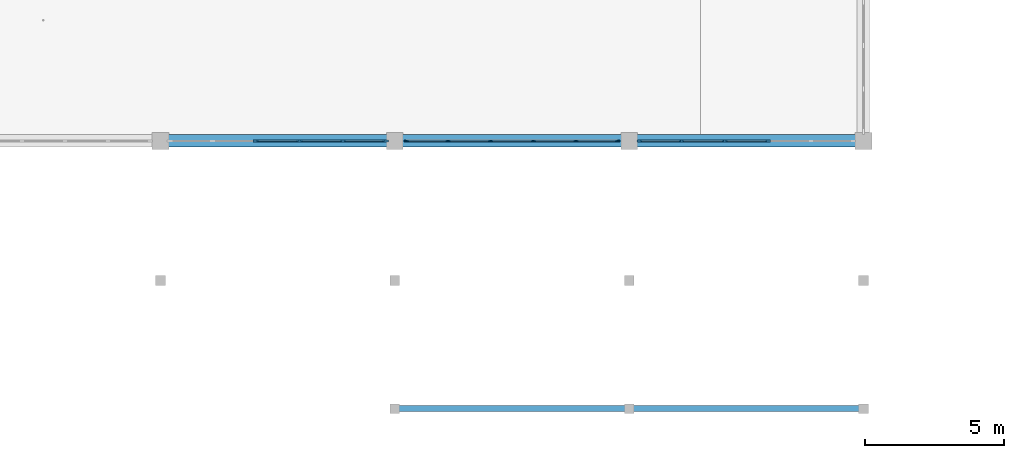
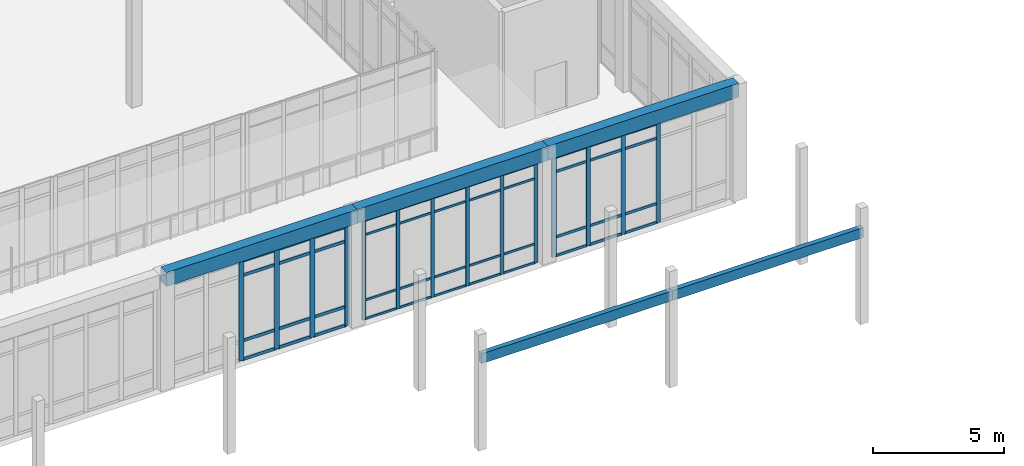
# One storey, part 19 of 157: 58 members, 5 beams, 3 elements without a shape of their own.
"""IFC4 building model written with IfcOpenShell, lengths in metres."""

from ifc_helpers import new_model, si_unit, direction, frame, origin, origin_2d, place, context, subcontext, project, spatial, rectangle, extrude, material, material_profile, profile_set, type_object, element, aggregate, save


model = new_model("IFC4")

# Units and contexts
model_context = context("Model", 3, precision=1e-05, world=origin(), true_north=direction((0.0, 1.0)))
body_context = subcontext(model_context, "Body", "Model", "MODEL_VIEW")
ifc_project = project(units=[si_unit("LENGTHUNIT", "METRE"), si_unit("AREAUNIT", "SQUARE_METRE"), si_unit("VOLUMEUNIT", "CUBIC_METRE"), si_unit("PLANEANGLEUNIT", "RADIAN"), si_unit("MASSUNIT", "GRAM", prefix="KILO")], contexts=[model_context])

# Site, building, storey
site_placement = place(None, origin())
site = spatial("IfcSite", under=ifc_project, at=site_placement, CompositionType="ELEMENT")
building_placement = place(site_placement, origin())
building = spatial("IfcBuilding", under=site, at=building_placement, Name="Varncliffe General Hospital", CompositionType="ELEMENT")
storey_placement = place(building_placement, frame((0.0, 0.0, 5.39990234375)))
storey = spatial("IfcBuildingStorey", under=building, at=storey_placement, Name="L01", CompositionType="ELEMENT", Elevation=5.39990234375)

# Curtain wall, members
ifc_material_1 = material(Name="Triple low-E argon insulated vision glazing", Category="glass")
curtain_wall_type_1 = type_object("IfcCurtainWallType", Name="Unitised Glazed Curtain Wall CW70 (7724x4640)", PredefinedType="USERDEFINED", material=ifc_material_1)
curtain_wall_1_placement = place(storey_placement, origin())
curtain_wall_1 = element("IfcCurtainWall", 1, at=curtain_wall_1_placement, inside=storey, type_object=curtain_wall_type_1, Name="L01 Glazed Curtain Wall CW70-46", ObjectType="GLAZED CURTAIN WALL", PredefinedType="USERDEFINED")
ifc_material_2 = material(Name="Dark bronze thermally broken aluminium framing", Category="aluminium")
ifc_material_profile_1 = material_profile(ifc_material_2, rectangle(XDim=0.074951171875, YDim=0.179931640625, at=origin_2d()), Name="ALU 75x180")
ifc_profile_set_1 = profile_set([ifc_material_profile_1], Name="Dark bronze thermally broken aluminium framing")
member_type_1 = type_object("IfcMemberType", Name="Curtain Wall Mullion CM44 (ALU 75x180)", PredefinedType="MULLION", material=ifc_profile_set_1)
member_1_placement = place(storey_placement, frame((114.17236328125, 7.199951171875, 0.0), z_axis=(0.0, 0.0, 1.0), x_axis=(0.0, -1.0, 0.0)))
member_1 = element("IfcMember", 2, at=member_1_placement, type_object=member_type_1, Name="CW70 mullion 3", PredefinedType="MULLION", context=body_context, shape_type="SweptSolid", body=[
    extrude(rectangle(XDim=0.074951171875, YDim=0.179931640625, at=origin_2d()), origin(), (0.0, 0.0, 1.0), 4.64013671875),
])
member_2_placement = place(storey_placement, frame((112.627685546875, 7.199951171875, 0.0), z_axis=(0.0, 0.0, 1.0), x_axis=(0.0, -1.0, 0.0)))
member_2 = element("IfcMember", 3, at=member_2_placement, type_object=member_type_1, Name="CW70 mullion 4", PredefinedType="MULLION", context=body_context, shape_type="SweptSolid", body=[
    extrude(rectangle(XDim=0.074951171875, YDim=0.179931640625, at=origin_2d()), origin(), (0.0, 0.0, 1.0), 4.64013671875),
])
member_3_placement = place(storey_placement, frame((111.082763671875, 7.199951171875, 0.0), z_axis=(0.0, 0.0, 1.0), x_axis=(0.0, -1.0, 0.0)))
member_3 = element("IfcMember", 4, at=member_3_placement, type_object=member_type_1, Name="CW70 mullion 5", PredefinedType="MULLION", context=body_context, shape_type="SweptSolid", body=[
    extrude(rectangle(XDim=0.074951171875, YDim=0.179931640625, at=origin_2d()), origin(), (0.0, 0.0, 1.0), 4.64013671875),
])
member_4_placement = place(storey_placement, frame((109.575439453125, 7.199951171875, 0.0), z_axis=(0.0, 0.0, 1.0), x_axis=(0.0, -1.0, 0.0)))
member_4 = element("IfcMember", 5, at=member_4_placement, type_object=member_type_1, Name="CW70 mullion 6", PredefinedType="MULLION", context=body_context, shape_type="SweptSolid", body=[
    extrude(rectangle(XDim=0.074951171875, YDim=0.179931640625, at=origin_2d()), origin(), (0.0, 0.0, 1.0), 4.64013671875),
])

curtain_wall_type_2 = type_object("IfcCurtainWallType", Name="Unitised Glazed Curtain Wall CW27 (7644x4640)", PredefinedType="USERDEFINED", material=ifc_material_1)
curtain_wall_2_placement = place(storey_placement, origin())
curtain_wall_2 = element("IfcCurtainWall", 6, at=curtain_wall_2_placement, inside=storey, type_object=curtain_wall_type_2, Name="L01 Glazed Curtain Wall CW27-47", ObjectType="GLAZED CURTAIN WALL", PredefinedType="USERDEFINED")
ifc_material_profile_2 = material_profile(ifc_material_2, rectangle(XDim=0.06494140625, YDim=0.159912109375, at=origin_2d()), Name="ALU 65x160")
ifc_profile_set_2 = profile_set([ifc_material_profile_2], Name="Dark bronze thermally broken aluminium framing")
member_type_2 = type_object("IfcMemberType", Name="Curtain Wall Mullion CM65 (ALU 65x160)", PredefinedType="MULLION", material=ifc_profile_set_2)
member_5_placement = place(storey_placement, frame((108.78955078125, 7.199951171875, 0.0), z_axis=(0.0, 0.0, 1.0), x_axis=(0.0, -1.0, 0.0)))
member_5 = element("IfcMember", 7, at=member_5_placement, type_object=member_type_2, Name="CW27 mullion 1", PredefinedType="MULLION", context=body_context, shape_type="SweptSolid", body=[
    extrude(rectangle(XDim=0.06494140625, YDim=0.159912109375, at=origin_2d()), origin(), (0.0, 0.0, 1.0), 4.64013671875),
])
member_6_placement = place(storey_placement, frame((107.293212890625, 7.199951171875, 0.0), z_axis=(0.0, 0.0, 1.0), x_axis=(0.0, -1.0, 0.0)))
member_6 = element("IfcMember", 8, at=member_6_placement, type_object=member_type_2, Name="CW27 mullion 2", PredefinedType="MULLION", context=body_context, shape_type="SweptSolid", body=[
    extrude(rectangle(XDim=0.06494140625, YDim=0.159912109375, at=origin_2d()), origin(), (0.0, 0.0, 1.0), 4.64013671875),
])
member_7_placement = place(storey_placement, frame((105.764404296875, 7.199951171875, 0.0), z_axis=(0.0, 0.0, 1.0), x_axis=(0.0, -1.0, 0.0)))
member_7 = element("IfcMember", 9, at=member_7_placement, type_object=member_type_2, Name="CW27 mullion 3", PredefinedType="MULLION", context=body_context, shape_type="SweptSolid", body=[
    extrude(rectangle(XDim=0.06494140625, YDim=0.159912109375, at=origin_2d()), origin(), (0.0, 0.0, 1.0), 4.64013671875),
])
member_8_placement = place(storey_placement, frame((104.235595703125, 7.199951171875, 0.0), z_axis=(0.0, 0.0, 1.0), x_axis=(0.0, -1.0, 0.0)))
member_8 = element("IfcMember", 10, at=member_8_placement, type_object=member_type_2, Name="CW27 mullion 4", PredefinedType="MULLION", context=body_context, shape_type="SweptSolid", body=[
    extrude(rectangle(XDim=0.06494140625, YDim=0.159912109375, at=origin_2d()), origin(), (0.0, 0.0, 1.0), 4.64013671875),
])
member_9_placement = place(storey_placement, frame((102.706787109375, 7.199951171875, 0.0), z_axis=(0.0, 0.0, 1.0), x_axis=(0.0, -1.0, 0.0)))
member_9 = element("IfcMember", 11, at=member_9_placement, type_object=member_type_2, Name="CW27 mullion 5", PredefinedType="MULLION", context=body_context, shape_type="SweptSolid", body=[
    extrude(rectangle(XDim=0.06494140625, YDim=0.159912109375, at=origin_2d()), origin(), (0.0, 0.0, 1.0), 4.64013671875),
])
member_10_placement = place(storey_placement, frame((101.21044921875, 7.199951171875, 0.0), z_axis=(0.0, 0.0, 1.0), x_axis=(0.0, -1.0, 0.0)))
member_10 = element("IfcMember", 12, at=member_10_placement, type_object=member_type_2, Name="CW27 mullion 6", PredefinedType="MULLION", context=body_context, shape_type="SweptSolid", body=[
    extrude(rectangle(XDim=0.06494140625, YDim=0.159912109375, at=origin_2d()), origin(), (0.0, 0.0, 1.0), 4.64013671875),
])

curtain_wall_type_3 = type_object("IfcCurtainWallType", Name="Unitised Glazed Curtain Wall CW85 (7804x4640)", PredefinedType="USERDEFINED", material=ifc_material_1)
curtain_wall_3_placement = place(storey_placement, origin())
curtain_wall_3 = element("IfcCurtainWall", 13, at=curtain_wall_3_placement, inside=storey, type_object=curtain_wall_type_3, Name="L01 Glazed Curtain Wall CW85-48", ObjectType="GLAZED CURTAIN WALL", PredefinedType="USERDEFINED")
ifc_material_profile_3 = material_profile(ifc_material_2, rectangle(XDim=0.074951171875, YDim=0.219970703125, at=origin_2d()), Name="ALU 75x220")
ifc_profile_set_3 = profile_set([ifc_material_profile_3], Name="Dark bronze thermally broken aluminium framing")
member_type_3 = type_object("IfcMemberType", Name="Curtain Wall Mullion CM74 (ALU 75x220)", PredefinedType="MULLION", material=ifc_profile_set_3)
member_11_placement = place(storey_placement, frame((100.464599609375, 7.199951171875, 0.0), z_axis=(0.0, 0.0, 1.0), x_axis=(0.0, -1.0, 0.0)))
member_11 = element("IfcMember", 14, at=member_11_placement, type_object=member_type_3, Name="CW85 mullion 1", PredefinedType="MULLION", context=body_context, shape_type="SweptSolid", body=[
    extrude(rectangle(XDim=0.074951171875, YDim=0.219970703125, at=origin_2d()), origin(), (0.0, 0.0, 1.0), 4.64013671875),
])
member_12_placement = place(storey_placement, frame((98.941162109375, 7.199951171875, 0.0), z_axis=(0.0, 0.0, 1.0), x_axis=(0.0, -1.0, 0.0)))
member_12 = element("IfcMember", 15, at=member_12_placement, type_object=member_type_3, Name="CW85 mullion 2", PredefinedType="MULLION", context=body_context, shape_type="SweptSolid", body=[
    extrude(rectangle(XDim=0.074951171875, YDim=0.219970703125, at=origin_2d()), origin(), (0.0, 0.0, 1.0), 4.64013671875),
])
member_13_placement = place(storey_placement, frame((97.38037109375, 7.199951171875, 0.0), z_axis=(0.0, 0.0, 1.0), x_axis=(0.0, -1.0, 0.0)))
member_13 = element("IfcMember", 16, at=member_13_placement, type_object=member_type_3, Name="CW85 mullion 3", PredefinedType="MULLION", context=body_context, shape_type="SweptSolid", body=[
    extrude(rectangle(XDim=0.074951171875, YDim=0.219970703125, at=origin_2d()), origin(), (0.0, 0.0, 1.0), 4.64013671875),
])
member_14_placement = place(storey_placement, frame((95.819580078125, 7.199951171875, 0.0), z_axis=(0.0, 0.0, 1.0), x_axis=(0.0, -1.0, 0.0)))
member_14 = element("IfcMember", 17, at=member_14_placement, type_object=member_type_3, Name="CW85 mullion 4", PredefinedType="MULLION", context=body_context, shape_type="SweptSolid", body=[
    extrude(rectangle(XDim=0.074951171875, YDim=0.219970703125, at=origin_2d()), origin(), (0.0, 0.0, 1.0), 4.64013671875),
])

# Member
ifc_material_profile_4 = material_profile(ifc_material_2, rectangle(XDim=0.06005859375, YDim=0.1201171875, at=origin_2d()), Name="ALU 60x120")
ifc_profile_set_4 = profile_set([ifc_material_profile_4], Name="Dark bronze thermally broken aluminium framing")
member_type_4 = type_object("IfcMemberType", Name="Curtain Wall Transom CT14 (ALU 60x120)", PredefinedType="USERDEFINED", material=ifc_profile_set_4)
member_15_placement = place(storey_placement, frame((114.135009765625, 7.199951171875, 0.030029296875), z_axis=(-1.0, 0.0, 0.0), x_axis=(0.0, -1.0, 0.0)))
member_15 = element("IfcMember", 18, at=member_15_placement, type_object=member_type_4, Name="CW70 transom 3.1", ObjectType="TRANSOM", PredefinedType="USERDEFINED", context=body_context, shape_type="SweptSolid", body=[
    extrude(rectangle(XDim=0.06005859375, YDim=0.1201171875, at=origin_2d()), origin(), (0.0, 0.0, 1.0), 1.469970703125),
])

member_16_placement = place(storey_placement, frame((114.135009765625, 7.199951171875, 0.900146484375), z_axis=(-1.0, 0.0, 0.0), x_axis=(0.0, -1.0, 0.0)))
member_16 = element("IfcMember", 19, at=member_16_placement, type_object=member_type_4, Name="CW70 transom 3.2", ObjectType="TRANSOM", PredefinedType="USERDEFINED", context=body_context, shape_type="SweptSolid", body=[
    extrude(rectangle(XDim=0.06005859375, YDim=0.1201171875, at=origin_2d()), origin(), (0.0, 0.0, 1.0), 1.469970703125),
])

member_17_placement = place(storey_placement, frame((114.135009765625, 7.199951171875, 3.940185546875), z_axis=(-1.0, 0.0, 0.0), x_axis=(0.0, -1.0, 0.0)))
member_17 = element("IfcMember", 20, at=member_17_placement, type_object=member_type_4, Name="CW70 transom 3.3", ObjectType="TRANSOM", PredefinedType="USERDEFINED", context=body_context, shape_type="SweptSolid", body=[
    extrude(rectangle(XDim=0.06005859375, YDim=0.1201171875, at=origin_2d()), origin(), (0.0, 0.0, 1.0), 1.469970703125),
])

member_18_placement = place(storey_placement, frame((114.135009765625, 7.199951171875, 4.610107421875), z_axis=(-1.0, 0.0, 0.0), x_axis=(0.0, -1.0, 0.0)))
member_18 = element("IfcMember", 21, at=member_18_placement, type_object=member_type_4, Name="CW70 transom 3.4", ObjectType="TRANSOM", PredefinedType="USERDEFINED", context=body_context, shape_type="SweptSolid", body=[
    extrude(rectangle(XDim=0.06005859375, YDim=0.1201171875, at=origin_2d()), origin(), (0.0, 0.0, 1.0), 1.469970703125),
])

member_19_placement = place(storey_placement, frame((112.590087890625, 7.199951171875, 0.030029296875), z_axis=(-1.0, 0.0, 0.0), x_axis=(0.0, -1.0, 0.0)))
member_19 = element("IfcMember", 22, at=member_19_placement, type_object=member_type_4, Name="CW70 transom 4.1", ObjectType="TRANSOM", PredefinedType="USERDEFINED", context=body_context, shape_type="SweptSolid", body=[
    extrude(rectangle(XDim=0.06005859375, YDim=0.1201171875, at=origin_2d()), origin(), (0.0, 0.0, 1.0), 1.4697265625),
])

member_20_placement = place(storey_placement, frame((112.590087890625, 7.199951171875, 0.900146484375), z_axis=(-1.0, 0.0, 0.0), x_axis=(0.0, -1.0, 0.0)))
member_20 = element("IfcMember", 23, at=member_20_placement, type_object=member_type_4, Name="CW70 transom 4.2", ObjectType="TRANSOM", PredefinedType="USERDEFINED", context=body_context, shape_type="SweptSolid", body=[
    extrude(rectangle(XDim=0.06005859375, YDim=0.1201171875, at=origin_2d()), origin(), (0.0, 0.0, 1.0), 1.4697265625),
])

member_21_placement = place(storey_placement, frame((112.590087890625, 7.199951171875, 3.940185546875), z_axis=(-1.0, 0.0, 0.0), x_axis=(0.0, -1.0, 0.0)))
member_21 = element("IfcMember", 24, at=member_21_placement, type_object=member_type_4, Name="CW70 transom 4.3", ObjectType="TRANSOM", PredefinedType="USERDEFINED", context=body_context, shape_type="SweptSolid", body=[
    extrude(rectangle(XDim=0.06005859375, YDim=0.1201171875, at=origin_2d()), origin(), (0.0, 0.0, 1.0), 1.4697265625),
])

member_22_placement = place(storey_placement, frame((112.590087890625, 7.199951171875, 4.610107421875), z_axis=(-1.0, 0.0, 0.0), x_axis=(0.0, -1.0, 0.0)))
member_22 = element("IfcMember", 25, at=member_22_placement, type_object=member_type_4, Name="CW70 transom 4.4", ObjectType="TRANSOM", PredefinedType="USERDEFINED", context=body_context, shape_type="SweptSolid", body=[
    extrude(rectangle(XDim=0.06005859375, YDim=0.1201171875, at=origin_2d()), origin(), (0.0, 0.0, 1.0), 1.4697265625),
])

member_23_placement = place(storey_placement, frame((111.04541015625, 7.199951171875, 0.030029296875), z_axis=(-1.0, 0.0, 0.0), x_axis=(0.0, -1.0, 0.0)))
member_23 = element("IfcMember", 26, at=member_23_placement, type_object=member_type_4, Name="CW70 transom 5.1", ObjectType="TRANSOM", PredefinedType="USERDEFINED", context=body_context, shape_type="SweptSolid", body=[
    extrude(rectangle(XDim=0.06005859375, YDim=0.1201171875, at=origin_2d()), origin(), (0.0, 0.0, 1.0), 1.432373046875),
])

member_24_placement = place(storey_placement, frame((111.04541015625, 7.199951171875, 0.900146484375), z_axis=(-1.0, 0.0, 0.0), x_axis=(0.0, -1.0, 0.0)))
member_24 = element("IfcMember", 27, at=member_24_placement, type_object=member_type_4, Name="CW70 transom 5.2", ObjectType="TRANSOM", PredefinedType="USERDEFINED", context=body_context, shape_type="SweptSolid", body=[
    extrude(rectangle(XDim=0.06005859375, YDim=0.1201171875, at=origin_2d()), origin(), (0.0, 0.0, 1.0), 1.432373046875),
])

member_25_placement = place(storey_placement, frame((111.04541015625, 7.199951171875, 3.940185546875), z_axis=(-1.0, 0.0, 0.0), x_axis=(0.0, -1.0, 0.0)))
member_25 = element("IfcMember", 28, at=member_25_placement, type_object=member_type_4, Name="CW70 transom 5.3", ObjectType="TRANSOM", PredefinedType="USERDEFINED", context=body_context, shape_type="SweptSolid", body=[
    extrude(rectangle(XDim=0.06005859375, YDim=0.1201171875, at=origin_2d()), origin(), (0.0, 0.0, 1.0), 1.432373046875),
])

member_26_placement = place(storey_placement, frame((111.04541015625, 7.199951171875, 4.610107421875), z_axis=(-1.0, 0.0, 0.0), x_axis=(0.0, -1.0, 0.0)))
member_26 = element("IfcMember", 29, at=member_26_placement, type_object=member_type_4, Name="CW70 transom 5.4", ObjectType="TRANSOM", PredefinedType="USERDEFINED", context=body_context, shape_type="SweptSolid", body=[
    extrude(rectangle(XDim=0.06005859375, YDim=0.1201171875, at=origin_2d()), origin(), (0.0, 0.0, 1.0), 1.432373046875),
])

aggregate(curtain_wall_1, [member_1, member_2, member_3, member_4, member_15, member_16, member_17, member_18, member_19, member_20, member_21, member_22, member_23, member_24, member_25, member_26])

ifc_material_profile_5 = material_profile(ifc_material_2, rectangle(XDim=0.06005859375, YDim=0.10009765625, at=origin_2d()), Name="ALU 60x100")
ifc_profile_set_5 = profile_set([ifc_material_profile_5], Name="Dark bronze thermally broken aluminium framing")
member_type_5 = type_object("IfcMemberType", Name="Curtain Wall Transom CT18 (ALU 60x100)", PredefinedType="USERDEFINED", material=ifc_profile_set_5)
member_27_placement = place(storey_placement, frame((108.757080078125, 7.199951171875, 0.030029296875), z_axis=(-1.0, 0.0, 0.0), x_axis=(0.0, -1.0, 0.0)))
member_27 = element("IfcMember", 30, at=member_27_placement, type_object=member_type_5, Name="CW27 transom 1.1", ObjectType="TRANSOM", PredefinedType="USERDEFINED", context=body_context, shape_type="SweptSolid", body=[
    extrude(rectangle(XDim=0.06005859375, YDim=0.10009765625, at=origin_2d()), origin(), (0.0, 0.0, 1.0), 1.431396484375),
])

member_28_placement = place(storey_placement, frame((108.757080078125, 7.199951171875, 0.900146484375), z_axis=(-1.0, 0.0, 0.0), x_axis=(0.0, -1.0, 0.0)))
member_28 = element("IfcMember", 31, at=member_28_placement, type_object=member_type_5, Name="CW27 transom 1.2", ObjectType="TRANSOM", PredefinedType="USERDEFINED", context=body_context, shape_type="SweptSolid", body=[
    extrude(rectangle(XDim=0.06005859375, YDim=0.10009765625, at=origin_2d()), origin(), (0.0, 0.0, 1.0), 1.431396484375),
])

member_29_placement = place(storey_placement, frame((108.757080078125, 7.199951171875, 3.940185546875), z_axis=(-1.0, 0.0, 0.0), x_axis=(0.0, -1.0, 0.0)))
member_29 = element("IfcMember", 32, at=member_29_placement, type_object=member_type_5, Name="CW27 transom 1.3", ObjectType="TRANSOM", PredefinedType="USERDEFINED", context=body_context, shape_type="SweptSolid", body=[
    extrude(rectangle(XDim=0.06005859375, YDim=0.10009765625, at=origin_2d()), origin(), (0.0, 0.0, 1.0), 1.431396484375),
])

member_30_placement = place(storey_placement, frame((108.757080078125, 7.199951171875, 4.610107421875), z_axis=(-1.0, 0.0, 0.0), x_axis=(0.0, -1.0, 0.0)))
member_30 = element("IfcMember", 33, at=member_30_placement, type_object=member_type_5, Name="CW27 transom 1.4", ObjectType="TRANSOM", PredefinedType="USERDEFINED", context=body_context, shape_type="SweptSolid", body=[
    extrude(rectangle(XDim=0.06005859375, YDim=0.10009765625, at=origin_2d()), origin(), (0.0, 0.0, 1.0), 1.431396484375),
])

member_31_placement = place(storey_placement, frame((107.2607421875, 7.199951171875, 0.030029296875), z_axis=(-1.0, 0.0, 0.0), x_axis=(0.0, -1.0, 0.0)))
member_31 = element("IfcMember", 34, at=member_31_placement, type_object=member_type_5, Name="CW27 transom 2.1", ObjectType="TRANSOM", PredefinedType="USERDEFINED", context=body_context, shape_type="SweptSolid", body=[
    extrude(rectangle(XDim=0.06005859375, YDim=0.10009765625, at=origin_2d()), origin(), (0.0, 0.0, 1.0), 1.4638671875),
])

member_32_placement = place(storey_placement, frame((107.2607421875, 7.199951171875, 0.900146484375), z_axis=(-1.0, 0.0, 0.0), x_axis=(0.0, -1.0, 0.0)))
member_32 = element("IfcMember", 35, at=member_32_placement, type_object=member_type_5, Name="CW27 transom 2.2", ObjectType="TRANSOM", PredefinedType="USERDEFINED", context=body_context, shape_type="SweptSolid", body=[
    extrude(rectangle(XDim=0.06005859375, YDim=0.10009765625, at=origin_2d()), origin(), (0.0, 0.0, 1.0), 1.4638671875),
])

member_33_placement = place(storey_placement, frame((107.2607421875, 7.199951171875, 3.940185546875), z_axis=(-1.0, 0.0, 0.0), x_axis=(0.0, -1.0, 0.0)))
member_33 = element("IfcMember", 36, at=member_33_placement, type_object=member_type_5, Name="CW27 transom 2.3", ObjectType="TRANSOM", PredefinedType="USERDEFINED", context=body_context, shape_type="SweptSolid", body=[
    extrude(rectangle(XDim=0.06005859375, YDim=0.10009765625, at=origin_2d()), origin(), (0.0, 0.0, 1.0), 1.4638671875),
])

member_34_placement = place(storey_placement, frame((107.2607421875, 7.199951171875, 4.610107421875), z_axis=(-1.0, 0.0, 0.0), x_axis=(0.0, -1.0, 0.0)))
member_34 = element("IfcMember", 37, at=member_34_placement, type_object=member_type_5, Name="CW27 transom 2.4", ObjectType="TRANSOM", PredefinedType="USERDEFINED", context=body_context, shape_type="SweptSolid", body=[
    extrude(rectangle(XDim=0.06005859375, YDim=0.10009765625, at=origin_2d()), origin(), (0.0, 0.0, 1.0), 1.4638671875),
])

member_35_placement = place(storey_placement, frame((105.73193359375, 7.199951171875, 0.030029296875), z_axis=(-1.0, 0.0, 0.0), x_axis=(0.0, -1.0, 0.0)))
member_35 = element("IfcMember", 38, at=member_35_placement, type_object=member_type_5, Name="CW27 transom 3.1", ObjectType="TRANSOM", PredefinedType="USERDEFINED", context=body_context, shape_type="SweptSolid", body=[
    extrude(rectangle(XDim=0.06005859375, YDim=0.10009765625, at=origin_2d()), origin(), (0.0, 0.0, 1.0), 1.4638671875),
])

member_36_placement = place(storey_placement, frame((105.73193359375, 7.199951171875, 0.900146484375), z_axis=(-1.0, 0.0, 0.0), x_axis=(0.0, -1.0, 0.0)))
member_36 = element("IfcMember", 39, at=member_36_placement, type_object=member_type_5, Name="CW27 transom 3.2", ObjectType="TRANSOM", PredefinedType="USERDEFINED", context=body_context, shape_type="SweptSolid", body=[
    extrude(rectangle(XDim=0.06005859375, YDim=0.10009765625, at=origin_2d()), origin(), (0.0, 0.0, 1.0), 1.4638671875),
])

member_37_placement = place(storey_placement, frame((105.73193359375, 7.199951171875, 3.940185546875), z_axis=(-1.0, 0.0, 0.0), x_axis=(0.0, -1.0, 0.0)))
member_37 = element("IfcMember", 40, at=member_37_placement, type_object=member_type_5, Name="CW27 transom 3.3", ObjectType="TRANSOM", PredefinedType="USERDEFINED", context=body_context, shape_type="SweptSolid", body=[
    extrude(rectangle(XDim=0.06005859375, YDim=0.10009765625, at=origin_2d()), origin(), (0.0, 0.0, 1.0), 1.4638671875),
])

member_38_placement = place(storey_placement, frame((105.73193359375, 7.199951171875, 4.610107421875), z_axis=(-1.0, 0.0, 0.0), x_axis=(0.0, -1.0, 0.0)))
member_38 = element("IfcMember", 41, at=member_38_placement, type_object=member_type_5, Name="CW27 transom 3.4", ObjectType="TRANSOM", PredefinedType="USERDEFINED", context=body_context, shape_type="SweptSolid", body=[
    extrude(rectangle(XDim=0.06005859375, YDim=0.10009765625, at=origin_2d()), origin(), (0.0, 0.0, 1.0), 1.4638671875),
])

member_39_placement = place(storey_placement, frame((104.203125, 7.199951171875, 0.030029296875), z_axis=(-1.0, 0.0, 0.0), x_axis=(0.0, -1.0, 0.0)))
member_39 = element("IfcMember", 42, at=member_39_placement, type_object=member_type_5, Name="CW27 transom 4.1", ObjectType="TRANSOM", PredefinedType="USERDEFINED", context=body_context, shape_type="SweptSolid", body=[
    extrude(rectangle(XDim=0.06005859375, YDim=0.10009765625, at=origin_2d()), origin(), (0.0, 0.0, 1.0), 1.4638671875),
])

member_40_placement = place(storey_placement, frame((104.203125, 7.199951171875, 0.900146484375), z_axis=(-1.0, 0.0, 0.0), x_axis=(0.0, -1.0, 0.0)))
member_40 = element("IfcMember", 43, at=member_40_placement, type_object=member_type_5, Name="CW27 transom 4.2", ObjectType="TRANSOM", PredefinedType="USERDEFINED", context=body_context, shape_type="SweptSolid", body=[
    extrude(rectangle(XDim=0.06005859375, YDim=0.10009765625, at=origin_2d()), origin(), (0.0, 0.0, 1.0), 1.4638671875),
])

member_41_placement = place(storey_placement, frame((104.203125, 7.199951171875, 3.940185546875), z_axis=(-1.0, 0.0, 0.0), x_axis=(0.0, -1.0, 0.0)))
member_41 = element("IfcMember", 44, at=member_41_placement, type_object=member_type_5, Name="CW27 transom 4.3", ObjectType="TRANSOM", PredefinedType="USERDEFINED", context=body_context, shape_type="SweptSolid", body=[
    extrude(rectangle(XDim=0.06005859375, YDim=0.10009765625, at=origin_2d()), origin(), (0.0, 0.0, 1.0), 1.4638671875),
])

member_42_placement = place(storey_placement, frame((104.203125, 7.199951171875, 4.610107421875), z_axis=(-1.0, 0.0, 0.0), x_axis=(0.0, -1.0, 0.0)))
member_42 = element("IfcMember", 45, at=member_42_placement, type_object=member_type_5, Name="CW27 transom 4.4", ObjectType="TRANSOM", PredefinedType="USERDEFINED", context=body_context, shape_type="SweptSolid", body=[
    extrude(rectangle(XDim=0.06005859375, YDim=0.10009765625, at=origin_2d()), origin(), (0.0, 0.0, 1.0), 1.4638671875),
])

member_43_placement = place(storey_placement, frame((102.67431640625, 7.199951171875, 0.030029296875), z_axis=(-1.0, 0.0, 0.0), x_axis=(0.0, -1.0, 0.0)))
member_43 = element("IfcMember", 46, at=member_43_placement, type_object=member_type_5, Name="CW27 transom 5.1", ObjectType="TRANSOM", PredefinedType="USERDEFINED", context=body_context, shape_type="SweptSolid", body=[
    extrude(rectangle(XDim=0.06005859375, YDim=0.10009765625, at=origin_2d()), origin(), (0.0, 0.0, 1.0), 1.431396484375),
])

member_44_placement = place(storey_placement, frame((102.67431640625, 7.199951171875, 0.900146484375), z_axis=(-1.0, 0.0, 0.0), x_axis=(0.0, -1.0, 0.0)))
member_44 = element("IfcMember", 47, at=member_44_placement, type_object=member_type_5, Name="CW27 transom 5.2", ObjectType="TRANSOM", PredefinedType="USERDEFINED", context=body_context, shape_type="SweptSolid", body=[
    extrude(rectangle(XDim=0.06005859375, YDim=0.10009765625, at=origin_2d()), origin(), (0.0, 0.0, 1.0), 1.431396484375),
])

member_45_placement = place(storey_placement, frame((102.67431640625, 7.199951171875, 3.940185546875), z_axis=(-1.0, 0.0, 0.0), x_axis=(0.0, -1.0, 0.0)))
member_45 = element("IfcMember", 48, at=member_45_placement, type_object=member_type_5, Name="CW27 transom 5.3", ObjectType="TRANSOM", PredefinedType="USERDEFINED", context=body_context, shape_type="SweptSolid", body=[
    extrude(rectangle(XDim=0.06005859375, YDim=0.10009765625, at=origin_2d()), origin(), (0.0, 0.0, 1.0), 1.431396484375),
])

member_46_placement = place(storey_placement, frame((102.67431640625, 7.199951171875, 4.610107421875), z_axis=(-1.0, 0.0, 0.0), x_axis=(0.0, -1.0, 0.0)))
member_46 = element("IfcMember", 49, at=member_46_placement, type_object=member_type_5, Name="CW27 transom 5.4", ObjectType="TRANSOM", PredefinedType="USERDEFINED", context=body_context, shape_type="SweptSolid", body=[
    extrude(rectangle(XDim=0.06005859375, YDim=0.10009765625, at=origin_2d()), origin(), (0.0, 0.0, 1.0), 1.431396484375),
])

aggregate(curtain_wall_2, [member_5, member_6, member_7, member_8, member_9, member_10, member_27, member_28, member_29, member_30, member_31, member_32, member_33, member_34, member_35, member_36, member_37, member_38, member_39, member_40, member_41, member_42, member_43, member_44, member_45, member_46])

ifc_material_profile_6 = material_profile(ifc_material_2, rectangle(XDim=0.06494140625, YDim=0.139892578125, at=origin_2d()), Name="ALU 65x140")
ifc_profile_set_6 = profile_set([ifc_material_profile_6], Name="Dark bronze thermally broken aluminium framing")
member_type_6 = type_object("IfcMemberType", Name="Curtain Wall Transom CT69 (ALU 65x140)", PredefinedType="USERDEFINED", material=ifc_profile_set_6)
member_47_placement = place(storey_placement, frame((100.427001953125, 7.199951171875, 0.03271484375), z_axis=(-1.0, 0.0, 0.0), x_axis=(0.0, -1.0, 0.0)))
member_47 = element("IfcMember", 50, at=member_47_placement, type_object=member_type_6, Name="CW85 transom 1.1", ObjectType="TRANSOM", PredefinedType="USERDEFINED", context=body_context, shape_type="SweptSolid", body=[
    extrude(rectangle(XDim=0.06494140625, YDim=0.139892578125, at=origin_2d()), origin(), (0.0, 0.0, 1.0), 1.4482421875),
])

member_48_placement = place(storey_placement, frame((100.427001953125, 7.199951171875, 0.900146484375), z_axis=(-1.0, 0.0, 0.0), x_axis=(0.0, -1.0, 0.0)))
member_48 = element("IfcMember", 51, at=member_48_placement, type_object=member_type_6, Name="CW85 transom 1.2", ObjectType="TRANSOM", PredefinedType="USERDEFINED", context=body_context, shape_type="SweptSolid", body=[
    extrude(rectangle(XDim=0.06494140625, YDim=0.139892578125, at=origin_2d()), origin(), (0.0, 0.0, 1.0), 1.4482421875),
])

member_49_placement = place(storey_placement, frame((100.427001953125, 7.199951171875, 3.940185546875), z_axis=(-1.0, 0.0, 0.0), x_axis=(0.0, -1.0, 0.0)))
member_49 = element("IfcMember", 52, at=member_49_placement, type_object=member_type_6, Name="CW85 transom 1.3", ObjectType="TRANSOM", PredefinedType="USERDEFINED", context=body_context, shape_type="SweptSolid", body=[
    extrude(rectangle(XDim=0.06494140625, YDim=0.139892578125, at=origin_2d()), origin(), (0.0, 0.0, 1.0), 1.4482421875),
])

member_50_placement = place(storey_placement, frame((100.427001953125, 7.199951171875, 4.607666015625), z_axis=(-1.0, 0.0, 0.0), x_axis=(0.0, -1.0, 0.0)))
member_50 = element("IfcMember", 53, at=member_50_placement, type_object=member_type_6, Name="CW85 transom 1.4", ObjectType="TRANSOM", PredefinedType="USERDEFINED", context=body_context, shape_type="SweptSolid", body=[
    extrude(rectangle(XDim=0.06494140625, YDim=0.139892578125, at=origin_2d()), origin(), (0.0, 0.0, 1.0), 1.4482421875),
])

member_51_placement = place(storey_placement, frame((98.90380859375, 7.199951171875, 0.03271484375), z_axis=(-1.0, 0.0, 0.0), x_axis=(0.0, -1.0, 0.0)))
member_51 = element("IfcMember", 54, at=member_51_placement, type_object=member_type_6, Name="CW85 transom 2.1", ObjectType="TRANSOM", PredefinedType="USERDEFINED", context=body_context, shape_type="SweptSolid", body=[
    extrude(rectangle(XDim=0.06494140625, YDim=0.139892578125, at=origin_2d()), origin(), (0.0, 0.0, 1.0), 1.48583984375),
])

member_52_placement = place(storey_placement, frame((98.90380859375, 7.199951171875, 0.900146484375), z_axis=(-1.0, 0.0, 0.0), x_axis=(0.0, -1.0, 0.0)))
member_52 = element("IfcMember", 55, at=member_52_placement, type_object=member_type_6, Name="CW85 transom 2.2", ObjectType="TRANSOM", PredefinedType="USERDEFINED", context=body_context, shape_type="SweptSolid", body=[
    extrude(rectangle(XDim=0.06494140625, YDim=0.139892578125, at=origin_2d()), origin(), (0.0, 0.0, 1.0), 1.48583984375),
])

member_53_placement = place(storey_placement, frame((98.90380859375, 7.199951171875, 3.940185546875), z_axis=(-1.0, 0.0, 0.0), x_axis=(0.0, -1.0, 0.0)))
member_53 = element("IfcMember", 56, at=member_53_placement, type_object=member_type_6, Name="CW85 transom 2.3", ObjectType="TRANSOM", PredefinedType="USERDEFINED", context=body_context, shape_type="SweptSolid", body=[
    extrude(rectangle(XDim=0.06494140625, YDim=0.139892578125, at=origin_2d()), origin(), (0.0, 0.0, 1.0), 1.48583984375),
])

member_54_placement = place(storey_placement, frame((98.90380859375, 7.199951171875, 4.607666015625), z_axis=(-1.0, 0.0, 0.0), x_axis=(0.0, -1.0, 0.0)))
member_54 = element("IfcMember", 57, at=member_54_placement, type_object=member_type_6, Name="CW85 transom 2.4", ObjectType="TRANSOM", PredefinedType="USERDEFINED", context=body_context, shape_type="SweptSolid", body=[
    extrude(rectangle(XDim=0.06494140625, YDim=0.139892578125, at=origin_2d()), origin(), (0.0, 0.0, 1.0), 1.48583984375),
])

member_55_placement = place(storey_placement, frame((97.343017578125, 7.199951171875, 0.03271484375), z_axis=(-1.0, 0.0, 0.0), x_axis=(0.0, -1.0, 0.0)))
member_55 = element("IfcMember", 58, at=member_55_placement, type_object=member_type_6, Name="CW85 transom 3.1", ObjectType="TRANSOM", PredefinedType="USERDEFINED", context=body_context, shape_type="SweptSolid", body=[
    extrude(rectangle(XDim=0.06494140625, YDim=0.139892578125, at=origin_2d()), origin(), (0.0, 0.0, 1.0), 1.48583984375),
])

member_56_placement = place(storey_placement, frame((97.343017578125, 7.199951171875, 0.900146484375), z_axis=(-1.0, 0.0, 0.0), x_axis=(0.0, -1.0, 0.0)))
member_56 = element("IfcMember", 59, at=member_56_placement, type_object=member_type_6, Name="CW85 transom 3.2", ObjectType="TRANSOM", PredefinedType="USERDEFINED", context=body_context, shape_type="SweptSolid", body=[
    extrude(rectangle(XDim=0.06494140625, YDim=0.139892578125, at=origin_2d()), origin(), (0.0, 0.0, 1.0), 1.48583984375),
])

member_57_placement = place(storey_placement, frame((97.343017578125, 7.199951171875, 3.940185546875), z_axis=(-1.0, 0.0, 0.0), x_axis=(0.0, -1.0, 0.0)))
member_57 = element("IfcMember", 60, at=member_57_placement, type_object=member_type_6, Name="CW85 transom 3.3", ObjectType="TRANSOM", PredefinedType="USERDEFINED", context=body_context, shape_type="SweptSolid", body=[
    extrude(rectangle(XDim=0.06494140625, YDim=0.139892578125, at=origin_2d()), origin(), (0.0, 0.0, 1.0), 1.48583984375),
])

member_58_placement = place(storey_placement, frame((97.343017578125, 7.199951171875, 4.607666015625), z_axis=(-1.0, 0.0, 0.0), x_axis=(0.0, -1.0, 0.0)))
member_58 = element("IfcMember", 61, at=member_58_placement, type_object=member_type_6, Name="CW85 transom 3.4", ObjectType="TRANSOM", PredefinedType="USERDEFINED", context=body_context, shape_type="SweptSolid", body=[
    extrude(rectangle(XDim=0.06494140625, YDim=0.139892578125, at=origin_2d()), origin(), (0.0, 0.0, 1.0), 1.48583984375),
])

aggregate(curtain_wall_3, [member_11, member_12, member_13, member_14, member_47, member_48, member_49, member_50, member_51, member_52, member_53, member_54, member_55, member_56, member_57, member_58])

# Beams
ifc_material_3 = material(Name="Glulam GL28h (CSA O86 24f-EX, 30 MPa)", Category="wood")
ifc_material_profile_7 = material_profile(ifc_material_3, rectangle(XDim=0.215087890625, YDim=0.4560546875, at=origin_2d()), Name="GL 215x456")
ifc_profile_set_7 = profile_set([ifc_material_profile_7], Name="Glulam GL28h (CSA O86 24f-EX, 30 MPa)")
beam_type_1 = type_object("IfcBeamType", Name="Joist J58 (Ext GL 215x456)", PredefinedType="JOIST", material=ifc_profile_set_7)
beam_1_placement = place(storey_placement, frame((100.800048828125, -2.39990234375, 4.2001953125), z_axis=(1.0, 0.0, 0.0), x_axis=(0.0, 1.0, 0.0)))
element("IfcBeam", 62, at=beam_1_placement, inside=storey, type_object=beam_type_1, Name="L01 Outer Portico Tie Joist 3", PredefinedType="JOIST", context=body_context, shape_type="SweptSolid", body=[
    extrude(rectangle(XDim=0.215087890625, YDim=0.4560546875, at=origin_2d()), origin(), (0.0, 0.0, 1.0), 8.39990234375),
])
beam_2_placement = place(storey_placement, frame((109.199951171875, -2.39990234375, 4.2001953125), z_axis=(1.0, 0.0, 0.0), x_axis=(0.0, 1.0, 0.0)))
element("IfcBeam", 63, at=beam_2_placement, inside=storey, type_object=beam_type_1, Name="L01 Outer Portico Tie Joist 4", PredefinedType="JOIST", context=body_context, shape_type="SweptSolid", body=[
    extrude(rectangle(XDim=0.215087890625, YDim=0.4560546875, at=origin_2d()), origin(), (0.0, 0.0, 1.0), 8.400146484375),
])
ifc_material_4 = material(Name="Concrete C35/45 (CSA A23.1 35 MPa)", Category="concrete")
ifc_material_profile_8 = material_profile(ifc_material_4, rectangle(XDim=0.449951171875, YDim=0.64990234375, at=origin_2d()), Name="RC 450x650")
ifc_profile_set_8 = profile_set([ifc_material_profile_8], Name="Concrete C35/45 (CSA A23.1 35 MPa)")
beam_type_2 = type_object("IfcBeamType", Name="Spandrel SP38 (Ext RC 450x650B)", PredefinedType="SPANDREL", material=ifc_profile_set_8)
beam_3_placement = place(storey_placement, frame((92.39990234375, 7.199951171875, 5.0751953125), z_axis=(1.0, 0.0, 0.0), x_axis=(0.0, 1.0, 0.0)))
element("IfcBeam", 64, at=beam_3_placement, inside=storey, type_object=beam_type_2, Name="L01 Spandrel Beam SP38-14", PredefinedType="SPANDREL", context=body_context, shape_type="SweptSolid", body=[
    extrude(rectangle(XDim=0.449951171875, YDim=0.64990234375, at=origin_2d()), origin(), (0.0, 0.0, 1.0), 8.400146484375),
])
beam_4_placement = place(storey_placement, frame((100.800048828125, 7.199951171875, 5.0751953125), z_axis=(1.0, 0.0, 0.0), x_axis=(0.0, 1.0, 0.0)))
element("IfcBeam", 65, at=beam_4_placement, inside=storey, type_object=beam_type_2, Name="L01 Spandrel Beam SP38-15", PredefinedType="SPANDREL", context=body_context, shape_type="SweptSolid", body=[
    extrude(rectangle(XDim=0.449951171875, YDim=0.64990234375, at=origin_2d()), origin(), (0.0, 0.0, 1.0), 8.39990234375),
])
beam_5_placement = place(storey_placement, frame((109.199951171875, 7.199951171875, 5.0751953125), z_axis=(1.0, 0.0, 0.0), x_axis=(0.0, 1.0, 0.0)))
element("IfcBeam", 66, at=beam_5_placement, inside=storey, type_object=beam_type_2, Name="L01 Spandrel Beam SP38-16", PredefinedType="SPANDREL", context=body_context, shape_type="SweptSolid", body=[
    extrude(rectangle(XDim=0.449951171875, YDim=0.64990234375, at=origin_2d()), origin(), (0.0, 0.0, 1.0), 8.400146484375),
])

save(model, "model.ifc")
